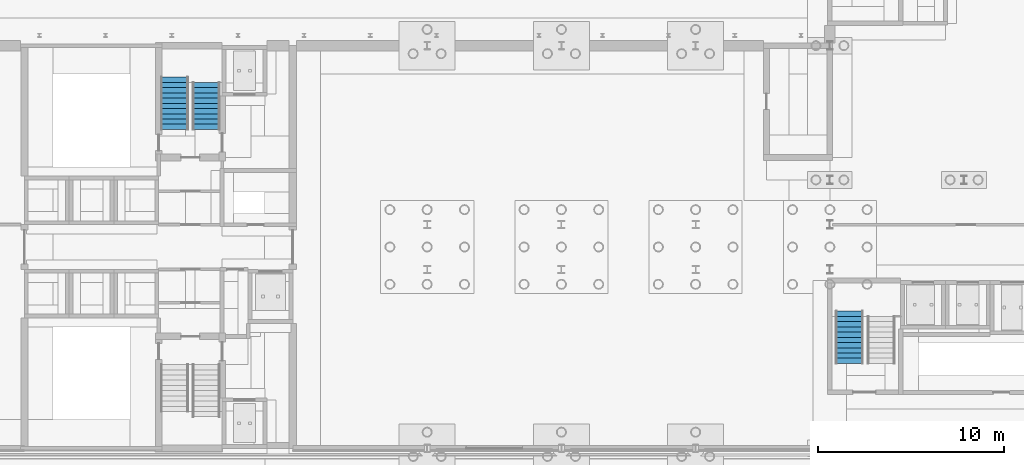
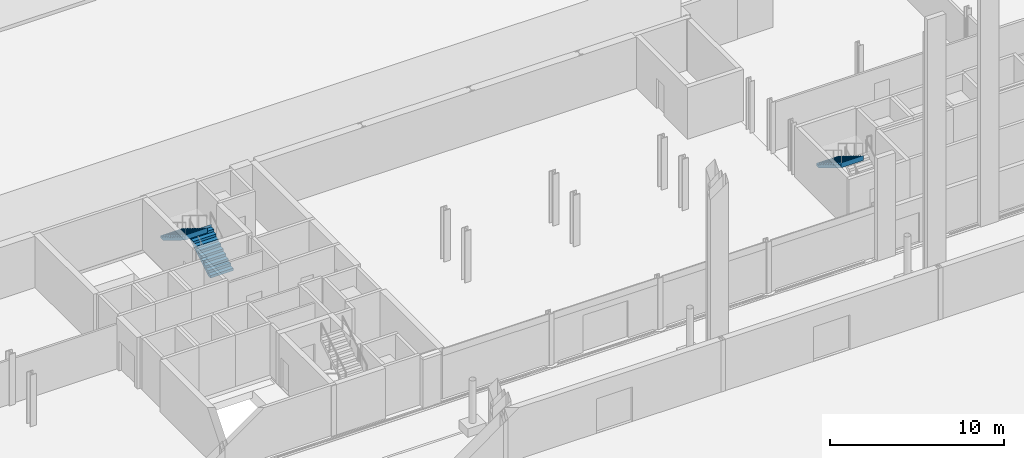
# One storey, part 105 of 148: 3 stair flights, 2 elements without a shape of their own.
"""IFC4 building model written with IfcOpenShell, lengths in metres."""

from ifc_helpers import new_model, si_unit, direction, frame, origin, place, context, subcontext, project, spatial, polyline, outline, extrude, material, type_object, element, aggregate, save


model = new_model("IFC4")

# Units and contexts
model_context = context("Model", 3, precision=1e-05, world=origin(), true_north=direction((0.0, 1.0)))
body_context = subcontext(model_context, "Body", "Model", "MODEL_VIEW")
ifc_project = project(units=[si_unit("LENGTHUNIT", "METRE"), si_unit("AREAUNIT", "SQUARE_METRE"), si_unit("VOLUMEUNIT", "CUBIC_METRE"), si_unit("PLANEANGLEUNIT", "RADIAN"), si_unit("MASSUNIT", "GRAM", prefix="KILO")], contexts=[model_context])

# Site, building, storey
site_placement = place(None, origin())
site = spatial("IfcSite", under=ifc_project, at=site_placement, CompositionType="ELEMENT")
building_placement = place(site_placement, origin())
building = spatial("IfcBuilding", under=site, at=building_placement, Name="Kupolbacken Congress Centre", CompositionType="ELEMENT")
storey_placement = place(building_placement, origin())
storey = spatial("IfcBuildingStorey", under=building, at=storey_placement, Name="L00", CompositionType="ELEMENT", Elevation=0.0)

# Stair, stair flights
ifc_material_1 = material(Name="Steel S355", Category="steel")
stair_type = type_object("IfcStairType", Name="ST2 stair 1500", PredefinedType="TWO_STRAIGHT_RUN_STAIR", material=ifc_material_1)
stair_1_placement = place(storey_placement, origin())
stair_1 = element("IfcStair", 1, at=stair_1_placement, inside=storey, type_object=stair_type, Name="C/stair/TS2/L00", PredefinedType="NOTDEFINED")
ifc_material_2 = material(Name="Steel S355", Category="steel")
stair_flight_type_1 = type_object("IfcStairFlightType", Name="FL3 stair flight 1500 x 10 risers", PredefinedType="STRAIGHT", material=ifc_material_2)
stair_flight_1_placement = place(storey_placement, frame((103.35009765625, 139.5048828125, 0.0), z_axis=(0.0, 0.0, 1.0), x_axis=(0.0, 1.0, 0.0)))
stair_flight_1 = element("IfcStairFlight", 2, at=stair_flight_1_placement, type_object=stair_flight_type_1, Name="TS2 flight 1", NumberOfRisers=10, NumberOfTreads=9, PredefinedType="STRAIGHT", RiserHeight=0.171428571, TreadLength=0.28, context=body_context, shape_type="SweptSolid", body=[
    extrude(outline(polyline([(0.0, 0.0), (0.0, 0.0009765625), (0.0, 0.002197265625), (0.0, 0.003173828125), (0.0, 0.004150390625), (0.0, 0.00537109375), (0.0, 0.00634765625), (0.0, 0.007568359375), (0.0, 0.008544921875), (0.0, 0.009521484375), (0.0, 0.0107421875), (0.0, 0.01171875), (0.0, 0.0126953125), (0.0, 0.013916015625), (0.0, 0.014892578125), (0.0, 0.015869140625), (0.0, 0.01708984375), (0.0, 0.01806640625), (0.0, 0.019287109375), (0.0, 0.020263671875), (0.0, 0.021240234375), (0.0, 0.0224609375), (0.0, 0.0234375), (0.0, 0.0244140625), (0.0, 0.025634765625), (0.0, 0.026611328125), (0.0, 0.027587890625), (0.0, 0.02880859375), (0.0, 0.02978515625), (0.0, 0.03076171875), (0.0, 0.031982421875), (0.0, 0.032958984375), (0.0, 0.0341796875), (0.0, 0.03515625), (0.0, 0.0361328125), (0.0, 0.037353515625), (0.0, 0.038330078125), (0.0, 0.039306640625), (0.0, 0.04052734375), (0.0, 0.04150390625), (0.0, 0.04248046875), (0.0, 0.043701171875), (0.0, 0.044677734375), (0.0, 0.0458984375), (0.0, 0.046875), (0.0, 0.0478515625), (0.0, 0.049072265625), (0.0, 0.050048828125), (0.0, 0.051025390625), (0.0, 0.05224609375), (0.0, 0.05322265625), (0.0, 0.05419921875), (0.0, 0.055419921875), (0.0, 0.056396484375), (0.0, 0.0576171875), (0.0, 0.05859375), (0.0, 0.0595703125), (0.0, 0.060791015625), (0.0, 0.061767578125), (0.0, 0.062744140625), (0.0, 0.06396484375), (0.0, 0.06494140625), (0.0, 0.06591796875), (0.0, 0.067138671875), (0.0, 0.068115234375), (0.0, 0.069091796875), (0.0, 0.0703125), (0.0, 0.0712890625), (0.0, 0.072509765625), (0.0, 0.073486328125), (0.0, 0.074462890625), (0.0, 0.07568359375), (0.0, 0.07666015625), (0.0, 0.07763671875), (0.0, 0.078857421875), (0.0, 0.079833984375), (0.0, 0.080810546875), (0.0, 0.08203125), (0.0, 0.0830078125), (0.0, 0.084228515625), (0.0, 0.085205078125), (0.0, 0.086181640625), (0.0, 0.08740234375), (0.0, 0.08837890625), (0.0, 0.08935546875), (0.0, 0.090576171875), (0.0, 0.091552734375), (0.0, 0.092529296875), (0.0, 0.09375), (0.0, 0.0947265625), (0.0, 0.095947265625), (0.0, 0.096923828125), (0.0, 0.097900390625), (0.0, 0.09912109375), (0.0, 0.10009765625), (0.0, 0.10107421875), (0.0, 0.102294921875), (0.0, 0.103271484375), (0.0, 0.104248046875), (0.0, 0.10546875), (0.0, 0.1064453125), (0.0, 0.107421875), (0.0, 0.108642578125), (0.0, 0.109619140625), (0.0, 0.11083984375), (0.0, 0.11181640625), (0.0, 0.11279296875), (0.0, 0.114013671875), (0.0, 0.114990234375), (0.0, 0.115966796875), (0.0, 0.1171875), (0.0, 0.1181640625), (0.0, 0.119140625), (0.0, 0.120361328125), (0.0, 0.121337890625), (0.0, 0.12255859375), (0.0, 0.12353515625), (0.0, 0.12451171875), (0.0, 0.125732421875), (0.0, 0.126708984375), (0.0, 0.127685546875), (0.0, 0.12890625), (0.0, 0.1298828125), (0.0, 0.130859375), (0.0, 0.132080078125), (0.0, 0.133056640625), (0.0, 0.13427734375), (0.0, 0.13525390625), (0.0, 0.13623046875), (0.0, 0.137451171875), (0.0, 0.138427734375), (0.0, 0.139404296875), (0.0, 0.140625), (0.0, 0.1416015625), (0.0, 0.142578125), (0.0, 0.143798828125), (0.0, 0.144775390625), (0.0, 0.145751953125), (0.0, 0.14697265625), (0.0, 0.14794921875), (0.0, 0.149169921875), (0.0, 0.150146484375), (0.0, 0.151123046875), (0.0, 0.15234375), (0.0, 0.1533203125), (0.0, 0.154296875), (0.0, 0.155517578125), (0.0, 0.156494140625), (0.0, 0.157470703125), (0.0, 0.15869140625), (0.0, 0.15966796875), (0.0, 0.160888671875), (0.0, 0.161865234375), (0.0, 0.162841796875), (0.0, 0.1640625), (0.0, 0.1650390625), (0.0, 0.166015625), (0.0, 0.167236328125), (0.0, 0.168212890625), (0.0, 0.169189453125), (0.0, 0.17041015625), (0.0, 0.17138671875), (0.280029296875, 0.17138671875), (0.280029296875, 0.3427734375), (0.56005859375, 0.3427734375), (0.56005859375, 0.514404296875), (0.840087890625, 0.514404296875), (0.840087890625, 0.685791015625), (1.1201171875, 0.685791015625), (1.1201171875, 0.857177734375), (1.39990234375, 0.857177734375), (1.39990234375, 1.028564453125), (1.679931640625, 1.028564453125), (1.679931640625, 1.199951171875), (1.9599609375, 1.199951171875), (1.9599609375, 1.371337890625), (2.239990234375, 1.371337890625), (2.239990234375, 1.54296875), (2.52001953125, 1.54296875), (2.52001953125, 1.71435546875), (2.52197265625, 1.71435546875), (2.52197265625, 1.712158203125), (2.52197265625, 1.7099609375), (2.52197265625, 1.707763671875), (2.52197265625, 1.70556640625), (2.52197265625, 1.70361328125), (2.52197265625, 1.701416015625), (2.52197265625, 1.69921875), (2.52197265625, 1.697021484375), (2.52197265625, 1.69482421875), (2.52197265625, 1.692626953125), (2.52197265625, 1.690673828125), (2.52197265625, 1.6884765625), (2.52197265625, 1.686279296875), (2.52197265625, 1.68408203125), (2.52197265625, 1.681884765625), (2.52197265625, 1.6796875), (2.52197265625, 1.677734375), (2.52197265625, 1.675537109375), (2.52197265625, 1.67333984375), (2.52197265625, 1.671142578125), (2.52197265625, 1.6689453125), (2.52197265625, 1.666748046875), (2.52197265625, 1.664794921875), (2.52197265625, 1.66259765625), (2.52197265625, 1.660400390625), (2.52197265625, 1.658203125), (2.52197265625, 1.656005859375), (2.52197265625, 1.65380859375), (2.52197265625, 1.65185546875), (2.52197265625, 1.649658203125), (2.52197265625, 1.6474609375), (2.52197265625, 1.645263671875), (2.52197265625, 1.64306640625), (2.52197265625, 1.640869140625), (2.52197265625, 1.638916015625), (2.52197265625, 1.63671875), (2.52197265625, 1.634521484375), (2.52197265625, 1.63232421875), (2.52197265625, 1.630126953125), (2.52197265625, 1.6279296875), (2.52197265625, 1.6259765625), (2.52197265625, 1.623779296875), (2.52197265625, 1.62158203125), (2.52197265625, 1.619384765625), (2.52197265625, 1.6171875), (2.52197265625, 1.614990234375), (2.52197265625, 1.613037109375), (2.52197265625, 1.61083984375), (2.52197265625, 1.608642578125), (2.52197265625, 1.6064453125), (2.52197265625, 1.604248046875), (2.52197265625, 1.60205078125), (2.52197265625, 1.60009765625), (2.52197265625, 1.597900390625), (2.52197265625, 1.595703125), (2.52197265625, 1.593505859375), (2.52197265625, 1.59130859375), (2.52197265625, 1.589111328125), (2.52197265625, 1.587158203125), (2.52197265625, 1.5849609375), (2.52197265625, 1.582763671875), (2.52197265625, 1.58056640625), (2.52197265625, 1.578369140625), (2.52197265625, 1.576171875), (2.52197265625, 1.57421875), (2.52197265625, 1.572021484375), (2.52197265625, 1.56982421875), (2.52197265625, 1.567626953125), (2.52197265625, 1.5654296875), (2.52197265625, 1.563232421875), (2.52197265625, 1.561279296875), (2.52197265625, 1.55908203125), (2.52197265625, 1.556884765625), (2.52197265625, 1.5546875), (2.52197265625, 1.552490234375), (2.52197265625, 1.55029296875), (2.52197265625, 1.54833984375), (2.52197265625, 1.546142578125), (2.52197265625, 1.5439453125), (2.52197265625, 1.541748046875), (2.52197265625, 1.53955078125), (2.52197265625, 1.537353515625), (2.52197265625, 1.535400390625), (2.52197265625, 1.533203125), (2.52197265625, 1.531005859375), (2.52197265625, 1.52880859375), (2.52197265625, 1.526611328125), (2.52197265625, 1.5244140625), (2.52197265625, 1.5224609375), (2.52197265625, 1.520263671875), (2.52197265625, 1.51806640625), (2.52197265625, 1.515869140625), (2.52197265625, 1.513671875), (2.52197265625, 1.511474609375), (2.52197265625, 1.509521484375), (2.52197265625, 1.50732421875), (2.52197265625, 1.505126953125), (2.52197265625, 1.5029296875), (2.52197265625, 1.500732421875), (2.52197265625, 1.49853515625), (2.52197265625, 1.49658203125), (2.52197265625, 1.494384765625), (2.52197265625, 1.4921875), (2.52197265625, 1.489990234375), (2.52197265625, 1.48779296875), (2.52197265625, 1.485595703125), (2.52197265625, 1.483642578125), (2.52197265625, 1.4814453125), (2.52197265625, 1.479248046875), (2.52197265625, 1.47705078125), (2.52197265625, 1.474853515625), (2.52197265625, 1.47265625), (2.52197265625, 1.470703125), (2.52197265625, 1.468505859375), (2.52197265625, 1.46630859375), (2.52197265625, 1.464111328125), (2.52197265625, 1.4619140625), (2.52197265625, 1.459716796875), (2.52197265625, 1.457763671875), (2.52197265625, 1.45556640625), (2.52197265625, 1.453369140625), (2.52197265625, 1.451171875), (2.52197265625, 1.448974609375), (2.52197265625, 1.44677734375), (2.52197265625, 1.44482421875), (2.52197265625, 1.442626953125), (2.52197265625, 1.4404296875), (2.52197265625, 1.438232421875), (2.52197265625, 1.43603515625), (2.52197265625, 1.433837890625), (2.52197265625, 1.431884765625), (2.52197265625, 1.4296875), (2.52197265625, 1.427490234375), (2.52197265625, 1.42529296875), (2.52197265625, 1.423095703125), (2.52197265625, 1.4208984375), (2.52197265625, 1.4189453125), (2.52197265625, 1.416748046875), (2.52197265625, 1.41455078125), (2.52197265625, 1.412353515625), (2.52197265625, 1.41015625), (2.52197265625, 1.407958984375), (2.52197265625, 1.406005859375), (2.52197265625, 1.40380859375), (2.52197265625, 1.401611328125), (2.52197265625, 1.3994140625), (2.52197265625, 1.397216796875), (2.52197265625, 1.39501953125), (2.52197265625, 1.39306640625), (2.52197265625, 1.390869140625), (2.52197265625, 1.388671875), (2.52197265625, 1.386474609375), (2.52197265625, 1.38427734375), (2.52197265625, 1.382080078125), (2.52197265625, 1.380126953125), (2.52197265625, 1.3779296875), (2.52197265625, 1.375732421875), (2.52197265625, 1.37353515625), (2.52197265625, 1.371337890625), (2.52197265625, 1.369140625), (2.52197265625, 1.3671875), (0.2890625, 0.0), (0.0, 0.0)])), frame((0.0, 0.75, 0.0), z_axis=(0.0, -1.0, 0.0), x_axis=(1.0, 0.0, 0.0)), (0.0, 0.0, 1.0), 1.5),
])
ifc_material_3 = material(Name="Steel S355", Category="steel")
stair_flight_type_2 = type_object("IfcStairFlightType", Name="FL4 stair flight 1500 x 11 risers", PredefinedType="STRAIGHT", material=ifc_material_3)
stair_flight_2_placement = place(storey_placement, frame((101.64990234375, 142.304931640625, 1.71435546875), z_axis=(0.0, 0.0, 1.0), x_axis=(0.0, -1.0, 0.0)))
stair_flight_2 = element("IfcStairFlight", 3, at=stair_flight_2_placement, type_object=stair_flight_type_2, Name="TS2 flight 2", NumberOfRisers=11, NumberOfTreads=10, PredefinedType="STRAIGHT", RiserHeight=0.171428571, TreadLength=0.28, context=body_context, shape_type="SweptSolid", body=[
    extrude(outline(polyline([(0.0, 0.0), (0.0, 0.0009765625), (0.0, 0.002197265625), (0.0, 0.003173828125), (0.0, 0.004150390625), (0.0, 0.00537109375), (0.0, 0.00634765625), (0.0, 0.007568359375), (0.0, 0.008544921875), (0.0, 0.009521484375), (0.0, 0.0107421875), (0.0, 0.01171875), (0.0, 0.0126953125), (0.0, 0.013916015625), (0.0, 0.014892578125), (0.0, 0.015869140625), (0.0, 0.01708984375), (0.0, 0.01806640625), (0.0, 0.019287109375), (0.0, 0.020263671875), (0.0, 0.021240234375), (0.0, 0.0224609375), (0.0, 0.0234375), (0.0, 0.0244140625), (0.0, 0.025634765625), (0.0, 0.026611328125), (0.0, 0.027587890625), (0.0, 0.02880859375), (0.0, 0.02978515625), (0.0, 0.03076171875), (0.0, 0.031982421875), (0.0, 0.032958984375), (0.0, 0.0341796875), (0.0, 0.03515625), (0.0, 0.0361328125), (0.0, 0.037353515625), (0.0, 0.038330078125), (0.0, 0.039306640625), (0.0, 0.04052734375), (0.0, 0.04150390625), (0.0, 0.04248046875), (0.0, 0.043701171875), (0.0, 0.044677734375), (0.0, 0.0458984375), (0.0, 0.046875), (0.0, 0.0478515625), (0.0, 0.049072265625), (0.0, 0.050048828125), (0.0, 0.051025390625), (0.0, 0.05224609375), (0.0, 0.05322265625), (0.0, 0.05419921875), (0.0, 0.055419921875), (0.0, 0.056396484375), (0.0, 0.0576171875), (0.0, 0.05859375), (0.0, 0.0595703125), (0.0, 0.060791015625), (0.0, 0.061767578125), (0.0, 0.062744140625), (0.0, 0.06396484375), (0.0, 0.06494140625), (0.0, 0.06591796875), (0.0, 0.067138671875), (0.0, 0.068115234375), (0.0, 0.069091796875), (0.0, 0.0703125), (0.0, 0.0712890625), (0.0, 0.072509765625), (0.0, 0.073486328125), (0.0, 0.074462890625), (0.0, 0.07568359375), (0.0, 0.07666015625), (0.0, 0.07763671875), (0.0, 0.078857421875), (0.0, 0.079833984375), (0.0, 0.080810546875), (0.0, 0.08203125), (0.0, 0.0830078125), (0.0, 0.084228515625), (0.0, 0.085205078125), (0.0, 0.086181640625), (0.0, 0.08740234375), (0.0, 0.08837890625), (0.0, 0.08935546875), (0.0, 0.090576171875), (0.0, 0.091552734375), (0.0, 0.092529296875), (0.0, 0.09375), (0.0, 0.0947265625), (0.0, 0.095947265625), (0.0, 0.096923828125), (0.0, 0.097900390625), (0.0, 0.09912109375), (0.0, 0.10009765625), (0.0, 0.10107421875), (0.0, 0.102294921875), (0.0, 0.103271484375), (0.0, 0.104248046875), (0.0, 0.10546875), (0.0, 0.1064453125), (0.0, 0.107421875), (0.0, 0.108642578125), (0.0, 0.109619140625), (0.0, 0.11083984375), (0.0, 0.11181640625), (0.0, 0.11279296875), (0.0, 0.114013671875), (0.0, 0.114990234375), (0.0, 0.115966796875), (0.0, 0.1171875), (0.0, 0.1181640625), (0.0, 0.119140625), (0.0, 0.120361328125), (0.0, 0.121337890625), (0.0, 0.12255859375), (0.0, 0.12353515625), (0.0, 0.12451171875), (0.0, 0.125732421875), (0.0, 0.126708984375), (0.0, 0.127685546875), (0.0, 0.12890625), (0.0, 0.1298828125), (0.0, 0.130859375), (0.0, 0.132080078125), (0.0, 0.133056640625), (0.0, 0.13427734375), (0.0, 0.13525390625), (0.0, 0.13623046875), (0.0, 0.137451171875), (0.0, 0.138427734375), (0.0, 0.139404296875), (0.0, 0.140625), (0.0, 0.1416015625), (0.0, 0.142578125), (0.0, 0.143798828125), (0.0, 0.144775390625), (0.0, 0.145751953125), (0.0, 0.14697265625), (0.0, 0.14794921875), (0.0, 0.149169921875), (0.0, 0.150146484375), (0.0, 0.151123046875), (0.0, 0.15234375), (0.0, 0.1533203125), (0.0, 0.154296875), (0.0, 0.155517578125), (0.0, 0.156494140625), (0.0, 0.157470703125), (0.0, 0.15869140625), (0.0, 0.15966796875), (0.0, 0.160888671875), (0.0, 0.161865234375), (0.0, 0.162841796875), (0.0, 0.1640625), (0.0, 0.1650390625), (0.0, 0.166015625), (0.0, 0.167236328125), (0.0, 0.168212890625), (0.0, 0.169189453125), (0.0, 0.17041015625), (0.0, 0.17138671875), (0.280029296875, 0.17138671875), (0.280029296875, 0.3427734375), (0.56005859375, 0.3427734375), (0.56005859375, 0.514404296875), (0.840087890625, 0.514404296875), (0.840087890625, 0.685791015625), (1.1201171875, 0.685791015625), (1.1201171875, 0.857177734375), (1.39990234375, 0.857177734375), (1.39990234375, 1.028564453125), (1.679931640625, 1.028564453125), (1.679931640625, 1.199951171875), (1.9599609375, 1.199951171875), (1.9599609375, 1.371337890625), (2.239990234375, 1.371337890625), (2.239990234375, 1.54296875), (2.52001953125, 1.54296875), (2.52001953125, 1.71435546875), (2.800048828125, 1.71435546875), (2.800048828125, 1.8857421875), (2.802001953125, 1.8857421875), (2.802001953125, 1.883544921875), (2.802001953125, 1.88134765625), (2.802001953125, 1.879150390625), (2.802001953125, 1.877197265625), (2.802001953125, 1.875), (2.802001953125, 1.872802734375), (2.802001953125, 1.87060546875), (2.802001953125, 1.868408203125), (2.802001953125, 1.8662109375), (2.802001953125, 1.8642578125), (2.802001953125, 1.862060546875), (2.802001953125, 1.85986328125), (2.802001953125, 1.857666015625), (2.802001953125, 1.85546875), (2.802001953125, 1.853271484375), (2.802001953125, 1.851318359375), (2.802001953125, 1.84912109375), (2.802001953125, 1.846923828125), (2.802001953125, 1.8447265625), (2.802001953125, 1.842529296875), (2.802001953125, 1.84033203125), (2.802001953125, 1.83837890625), (2.802001953125, 1.836181640625), (2.802001953125, 1.833984375), (2.802001953125, 1.831787109375), (2.802001953125, 1.82958984375), (2.802001953125, 1.827392578125), (2.802001953125, 1.825439453125), (2.802001953125, 1.8232421875), (2.802001953125, 1.821044921875), (2.802001953125, 1.81884765625), (2.802001953125, 1.816650390625), (2.802001953125, 1.814453125), (2.802001953125, 1.8125), (2.802001953125, 1.810302734375), (2.802001953125, 1.80810546875), (2.802001953125, 1.805908203125), (2.802001953125, 1.8037109375), (2.802001953125, 1.801513671875), (2.802001953125, 1.799560546875), (2.802001953125, 1.79736328125), (2.802001953125, 1.795166015625), (2.802001953125, 1.79296875), (2.802001953125, 1.790771484375), (2.802001953125, 1.78857421875), (2.802001953125, 1.78662109375), (2.802001953125, 1.784423828125), (2.802001953125, 1.7822265625), (2.802001953125, 1.780029296875), (2.802001953125, 1.77783203125), (2.802001953125, 1.775634765625), (2.802001953125, 1.773681640625), (2.802001953125, 1.771484375), (2.802001953125, 1.769287109375), (2.802001953125, 1.76708984375), (2.802001953125, 1.764892578125), (2.802001953125, 1.7626953125), (2.802001953125, 1.7607421875), (2.802001953125, 1.758544921875), (2.802001953125, 1.75634765625), (2.802001953125, 1.754150390625), (2.802001953125, 1.751953125), (2.802001953125, 1.749755859375), (2.802001953125, 1.747802734375), (2.802001953125, 1.74560546875), (2.802001953125, 1.743408203125), (2.802001953125, 1.7412109375), (2.802001953125, 1.739013671875), (2.802001953125, 1.73681640625), (2.802001953125, 1.73486328125), (2.802001953125, 1.732666015625), (2.802001953125, 1.73046875), (2.802001953125, 1.728271484375), (2.802001953125, 1.72607421875), (2.802001953125, 1.723876953125), (2.802001953125, 1.721923828125), (2.802001953125, 1.7197265625), (2.802001953125, 1.717529296875), (2.802001953125, 1.71533203125), (2.802001953125, 1.713134765625), (2.802001953125, 1.7109375), (2.802001953125, 1.708984375), (2.802001953125, 1.706787109375), (2.802001953125, 1.70458984375), (2.802001953125, 1.702392578125), (2.802001953125, 1.7001953125), (2.802001953125, 1.697998046875), (2.802001953125, 1.696044921875), (2.802001953125, 1.69384765625), (2.802001953125, 1.691650390625), (2.802001953125, 1.689453125), (2.802001953125, 1.687255859375), (2.802001953125, 1.68505859375), (2.802001953125, 1.68310546875), (2.802001953125, 1.680908203125), (2.802001953125, 1.6787109375), (2.802001953125, 1.676513671875), (2.802001953125, 1.67431640625), (2.802001953125, 1.672119140625), (2.802001953125, 1.670166015625), (2.802001953125, 1.66796875), (2.802001953125, 1.665771484375), (2.802001953125, 1.66357421875), (2.802001953125, 1.661376953125), (2.802001953125, 1.6591796875), (2.802001953125, 1.6572265625), (2.802001953125, 1.655029296875), (2.802001953125, 1.65283203125), (2.802001953125, 1.650634765625), (2.802001953125, 1.6484375), (2.802001953125, 1.646240234375), (2.802001953125, 1.644287109375), (2.802001953125, 1.64208984375), (2.802001953125, 1.639892578125), (2.802001953125, 1.6376953125), (2.802001953125, 1.635498046875), (2.802001953125, 1.63330078125), (2.802001953125, 1.63134765625), (2.802001953125, 1.629150390625), (2.802001953125, 1.626953125), (2.802001953125, 1.624755859375), (2.802001953125, 1.62255859375), (2.802001953125, 1.620361328125), (2.802001953125, 1.618408203125), (2.802001953125, 1.6162109375), (2.802001953125, 1.614013671875), (2.802001953125, 1.61181640625), (2.802001953125, 1.609619140625), (2.802001953125, 1.607421875), (2.802001953125, 1.60546875), (2.802001953125, 1.603271484375), (2.802001953125, 1.60107421875), (2.802001953125, 1.598876953125), (2.802001953125, 1.5966796875), (2.802001953125, 1.594482421875), (2.802001953125, 1.592529296875), (2.802001953125, 1.59033203125), (2.802001953125, 1.588134765625), (2.802001953125, 1.5859375), (2.802001953125, 1.583740234375), (2.802001953125, 1.58154296875), (2.802001953125, 1.57958984375), (2.802001953125, 1.577392578125), (2.802001953125, 1.5751953125), (2.802001953125, 1.572998046875), (2.802001953125, 1.57080078125), (2.802001953125, 1.568603515625), (2.802001953125, 1.566650390625), (2.802001953125, 1.564453125), (2.802001953125, 1.562255859375), (2.802001953125, 1.56005859375), (2.802001953125, 1.557861328125), (2.802001953125, 1.5556640625), (2.802001953125, 1.5537109375), (2.802001953125, 1.551513671875), (2.802001953125, 1.54931640625), (2.802001953125, 1.547119140625), (2.802001953125, 1.544921875), (2.802001953125, 1.542724609375), (2.802001953125, 1.540771484375), (2.802001953125, 1.53857421875), (0.2890625, 0.0), (0.0, 0.0)])), frame((0.0, 0.75, 0.0), z_axis=(0.0, -1.0, 0.0), x_axis=(1.0, 0.0, 0.0)), (0.0, 0.0, 1.0), 1.5),
])
aggregate(stair_1, [stair_flight_1, stair_flight_2])

# Stair, stair flight
stair_2_placement = place(storey_placement, origin())
stair_2 = element("IfcStair", 4, at=stair_2_placement, inside=storey, type_object=stair_type, Name="C/stair/BS1/L00", PredefinedType="NOTDEFINED")
stair_flight_3_placement = place(storey_placement, frame((137.85009765625, 129.7548828125, 1.71435546875), z_axis=(0.0, 0.0, 1.0), x_axis=(0.0, -1.0, 0.0)))
stair_flight_3 = element("IfcStairFlight", 5, at=stair_flight_3_placement, type_object=stair_flight_type_2, Name="BS1 flight 2", NumberOfRisers=11, NumberOfTreads=10, PredefinedType="STRAIGHT", RiserHeight=0.171428571, TreadLength=0.28, context=body_context, shape_type="SweptSolid", body=[
    extrude(outline(polyline([(0.0, 0.0), (0.0, 0.0009765625), (0.0, 0.002197265625), (0.0, 0.003173828125), (0.0, 0.004150390625), (0.0, 0.00537109375), (0.0, 0.00634765625), (0.0, 0.007568359375), (0.0, 0.008544921875), (0.0, 0.009521484375), (0.0, 0.0107421875), (0.0, 0.01171875), (0.0, 0.0126953125), (0.0, 0.013916015625), (0.0, 0.014892578125), (0.0, 0.015869140625), (0.0, 0.01708984375), (0.0, 0.01806640625), (0.0, 0.019287109375), (0.0, 0.020263671875), (0.0, 0.021240234375), (0.0, 0.0224609375), (0.0, 0.0234375), (0.0, 0.0244140625), (0.0, 0.025634765625), (0.0, 0.026611328125), (0.0, 0.027587890625), (0.0, 0.02880859375), (0.0, 0.02978515625), (0.0, 0.03076171875), (0.0, 0.031982421875), (0.0, 0.032958984375), (0.0, 0.0341796875), (0.0, 0.03515625), (0.0, 0.0361328125), (0.0, 0.037353515625), (0.0, 0.038330078125), (0.0, 0.039306640625), (0.0, 0.04052734375), (0.0, 0.04150390625), (0.0, 0.04248046875), (0.0, 0.043701171875), (0.0, 0.044677734375), (0.0, 0.0458984375), (0.0, 0.046875), (0.0, 0.0478515625), (0.0, 0.049072265625), (0.0, 0.050048828125), (0.0, 0.051025390625), (0.0, 0.05224609375), (0.0, 0.05322265625), (0.0, 0.05419921875), (0.0, 0.055419921875), (0.0, 0.056396484375), (0.0, 0.0576171875), (0.0, 0.05859375), (0.0, 0.0595703125), (0.0, 0.060791015625), (0.0, 0.061767578125), (0.0, 0.062744140625), (0.0, 0.06396484375), (0.0, 0.06494140625), (0.0, 0.06591796875), (0.0, 0.067138671875), (0.0, 0.068115234375), (0.0, 0.069091796875), (0.0, 0.0703125), (0.0, 0.0712890625), (0.0, 0.072509765625), (0.0, 0.073486328125), (0.0, 0.074462890625), (0.0, 0.07568359375), (0.0, 0.07666015625), (0.0, 0.07763671875), (0.0, 0.078857421875), (0.0, 0.079833984375), (0.0, 0.080810546875), (0.0, 0.08203125), (0.0, 0.0830078125), (0.0, 0.084228515625), (0.0, 0.085205078125), (0.0, 0.086181640625), (0.0, 0.08740234375), (0.0, 0.08837890625), (0.0, 0.08935546875), (0.0, 0.090576171875), (0.0, 0.091552734375), (0.0, 0.092529296875), (0.0, 0.09375), (0.0, 0.0947265625), (0.0, 0.095947265625), (0.0, 0.096923828125), (0.0, 0.097900390625), (0.0, 0.09912109375), (0.0, 0.10009765625), (0.0, 0.10107421875), (0.0, 0.102294921875), (0.0, 0.103271484375), (0.0, 0.104248046875), (0.0, 0.10546875), (0.0, 0.1064453125), (0.0, 0.107421875), (0.0, 0.108642578125), (0.0, 0.109619140625), (0.0, 0.11083984375), (0.0, 0.11181640625), (0.0, 0.11279296875), (0.0, 0.114013671875), (0.0, 0.114990234375), (0.0, 0.115966796875), (0.0, 0.1171875), (0.0, 0.1181640625), (0.0, 0.119140625), (0.0, 0.120361328125), (0.0, 0.121337890625), (0.0, 0.12255859375), (0.0, 0.12353515625), (0.0, 0.12451171875), (0.0, 0.125732421875), (0.0, 0.126708984375), (0.0, 0.127685546875), (0.0, 0.12890625), (0.0, 0.1298828125), (0.0, 0.130859375), (0.0, 0.132080078125), (0.0, 0.133056640625), (0.0, 0.13427734375), (0.0, 0.13525390625), (0.0, 0.13623046875), (0.0, 0.137451171875), (0.0, 0.138427734375), (0.0, 0.139404296875), (0.0, 0.140625), (0.0, 0.1416015625), (0.0, 0.142578125), (0.0, 0.143798828125), (0.0, 0.144775390625), (0.0, 0.145751953125), (0.0, 0.14697265625), (0.0, 0.14794921875), (0.0, 0.149169921875), (0.0, 0.150146484375), (0.0, 0.151123046875), (0.0, 0.15234375), (0.0, 0.1533203125), (0.0, 0.154296875), (0.0, 0.155517578125), (0.0, 0.156494140625), (0.0, 0.157470703125), (0.0, 0.15869140625), (0.0, 0.15966796875), (0.0, 0.160888671875), (0.0, 0.161865234375), (0.0, 0.162841796875), (0.0, 0.1640625), (0.0, 0.1650390625), (0.0, 0.166015625), (0.0, 0.167236328125), (0.0, 0.168212890625), (0.0, 0.169189453125), (0.0, 0.17041015625), (0.0, 0.17138671875), (0.280029296875, 0.17138671875), (0.280029296875, 0.3427734375), (0.56005859375, 0.3427734375), (0.56005859375, 0.514404296875), (0.840087890625, 0.514404296875), (0.840087890625, 0.685791015625), (1.1201171875, 0.685791015625), (1.1201171875, 0.857177734375), (1.39990234375, 0.857177734375), (1.39990234375, 1.028564453125), (1.679931640625, 1.028564453125), (1.679931640625, 1.199951171875), (1.9599609375, 1.199951171875), (1.9599609375, 1.371337890625), (2.239990234375, 1.371337890625), (2.239990234375, 1.54296875), (2.52001953125, 1.54296875), (2.52001953125, 1.71435546875), (2.800048828125, 1.71435546875), (2.800048828125, 1.8857421875), (2.802001953125, 1.8857421875), (2.802001953125, 1.883544921875), (2.802001953125, 1.88134765625), (2.802001953125, 1.879150390625), (2.802001953125, 1.877197265625), (2.802001953125, 1.875), (2.802001953125, 1.872802734375), (2.802001953125, 1.87060546875), (2.802001953125, 1.868408203125), (2.802001953125, 1.8662109375), (2.802001953125, 1.8642578125), (2.802001953125, 1.862060546875), (2.802001953125, 1.85986328125), (2.802001953125, 1.857666015625), (2.802001953125, 1.85546875), (2.802001953125, 1.853271484375), (2.802001953125, 1.851318359375), (2.802001953125, 1.84912109375), (2.802001953125, 1.846923828125), (2.802001953125, 1.8447265625), (2.802001953125, 1.842529296875), (2.802001953125, 1.84033203125), (2.802001953125, 1.83837890625), (2.802001953125, 1.836181640625), (2.802001953125, 1.833984375), (2.802001953125, 1.831787109375), (2.802001953125, 1.82958984375), (2.802001953125, 1.827392578125), (2.802001953125, 1.825439453125), (2.802001953125, 1.8232421875), (2.802001953125, 1.821044921875), (2.802001953125, 1.81884765625), (2.802001953125, 1.816650390625), (2.802001953125, 1.814453125), (2.802001953125, 1.8125), (2.802001953125, 1.810302734375), (2.802001953125, 1.80810546875), (2.802001953125, 1.805908203125), (2.802001953125, 1.8037109375), (2.802001953125, 1.801513671875), (2.802001953125, 1.799560546875), (2.802001953125, 1.79736328125), (2.802001953125, 1.795166015625), (2.802001953125, 1.79296875), (2.802001953125, 1.790771484375), (2.802001953125, 1.78857421875), (2.802001953125, 1.78662109375), (2.802001953125, 1.784423828125), (2.802001953125, 1.7822265625), (2.802001953125, 1.780029296875), (2.802001953125, 1.77783203125), (2.802001953125, 1.775634765625), (2.802001953125, 1.773681640625), (2.802001953125, 1.771484375), (2.802001953125, 1.769287109375), (2.802001953125, 1.76708984375), (2.802001953125, 1.764892578125), (2.802001953125, 1.7626953125), (2.802001953125, 1.7607421875), (2.802001953125, 1.758544921875), (2.802001953125, 1.75634765625), (2.802001953125, 1.754150390625), (2.802001953125, 1.751953125), (2.802001953125, 1.749755859375), (2.802001953125, 1.747802734375), (2.802001953125, 1.74560546875), (2.802001953125, 1.743408203125), (2.802001953125, 1.7412109375), (2.802001953125, 1.739013671875), (2.802001953125, 1.73681640625), (2.802001953125, 1.73486328125), (2.802001953125, 1.732666015625), (2.802001953125, 1.73046875), (2.802001953125, 1.728271484375), (2.802001953125, 1.72607421875), (2.802001953125, 1.723876953125), (2.802001953125, 1.721923828125), (2.802001953125, 1.7197265625), (2.802001953125, 1.717529296875), (2.802001953125, 1.71533203125), (2.802001953125, 1.713134765625), (2.802001953125, 1.7109375), (2.802001953125, 1.708984375), (2.802001953125, 1.706787109375), (2.802001953125, 1.70458984375), (2.802001953125, 1.702392578125), (2.802001953125, 1.7001953125), (2.802001953125, 1.697998046875), (2.802001953125, 1.696044921875), (2.802001953125, 1.69384765625), (2.802001953125, 1.691650390625), (2.802001953125, 1.689453125), (2.802001953125, 1.687255859375), (2.802001953125, 1.68505859375), (2.802001953125, 1.68310546875), (2.802001953125, 1.680908203125), (2.802001953125, 1.6787109375), (2.802001953125, 1.676513671875), (2.802001953125, 1.67431640625), (2.802001953125, 1.672119140625), (2.802001953125, 1.670166015625), (2.802001953125, 1.66796875), (2.802001953125, 1.665771484375), (2.802001953125, 1.66357421875), (2.802001953125, 1.661376953125), (2.802001953125, 1.6591796875), (2.802001953125, 1.6572265625), (2.802001953125, 1.655029296875), (2.802001953125, 1.65283203125), (2.802001953125, 1.650634765625), (2.802001953125, 1.6484375), (2.802001953125, 1.646240234375), (2.802001953125, 1.644287109375), (2.802001953125, 1.64208984375), (2.802001953125, 1.639892578125), (2.802001953125, 1.6376953125), (2.802001953125, 1.635498046875), (2.802001953125, 1.63330078125), (2.802001953125, 1.63134765625), (2.802001953125, 1.629150390625), (2.802001953125, 1.626953125), (2.802001953125, 1.624755859375), (2.802001953125, 1.62255859375), (2.802001953125, 1.620361328125), (2.802001953125, 1.618408203125), (2.802001953125, 1.6162109375), (2.802001953125, 1.614013671875), (2.802001953125, 1.61181640625), (2.802001953125, 1.609619140625), (2.802001953125, 1.607421875), (2.802001953125, 1.60546875), (2.802001953125, 1.603271484375), (2.802001953125, 1.60107421875), (2.802001953125, 1.598876953125), (2.802001953125, 1.5966796875), (2.802001953125, 1.594482421875), (2.802001953125, 1.592529296875), (2.802001953125, 1.59033203125), (2.802001953125, 1.588134765625), (2.802001953125, 1.5859375), (2.802001953125, 1.583740234375), (2.802001953125, 1.58154296875), (2.802001953125, 1.57958984375), (2.802001953125, 1.577392578125), (2.802001953125, 1.5751953125), (2.802001953125, 1.572998046875), (2.802001953125, 1.57080078125), (2.802001953125, 1.568603515625), (2.802001953125, 1.566650390625), (2.802001953125, 1.564453125), (2.802001953125, 1.562255859375), (2.802001953125, 1.56005859375), (2.802001953125, 1.557861328125), (2.802001953125, 1.5556640625), (2.802001953125, 1.5537109375), (2.802001953125, 1.551513671875), (2.802001953125, 1.54931640625), (2.802001953125, 1.547119140625), (2.802001953125, 1.544921875), (2.802001953125, 1.542724609375), (2.802001953125, 1.540771484375), (2.802001953125, 1.53857421875), (0.2890625, 0.0), (0.0, 0.0)])), frame((0.0, 0.75, 0.0), z_axis=(0.0, -1.0, 0.0), x_axis=(1.0, 0.0, 0.0)), (0.0, 0.0, 1.0), 1.5),
])
aggregate(stair_2, [stair_flight_3])

save(model, "model.ifc")
